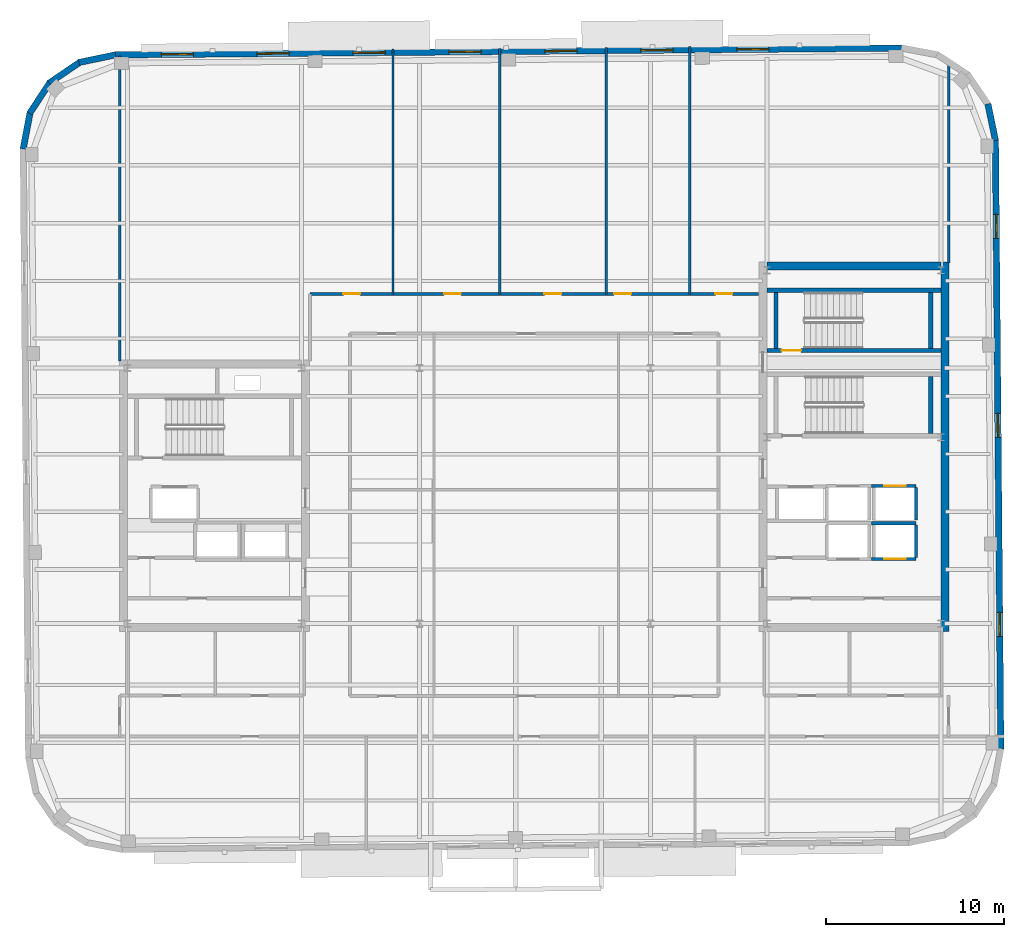
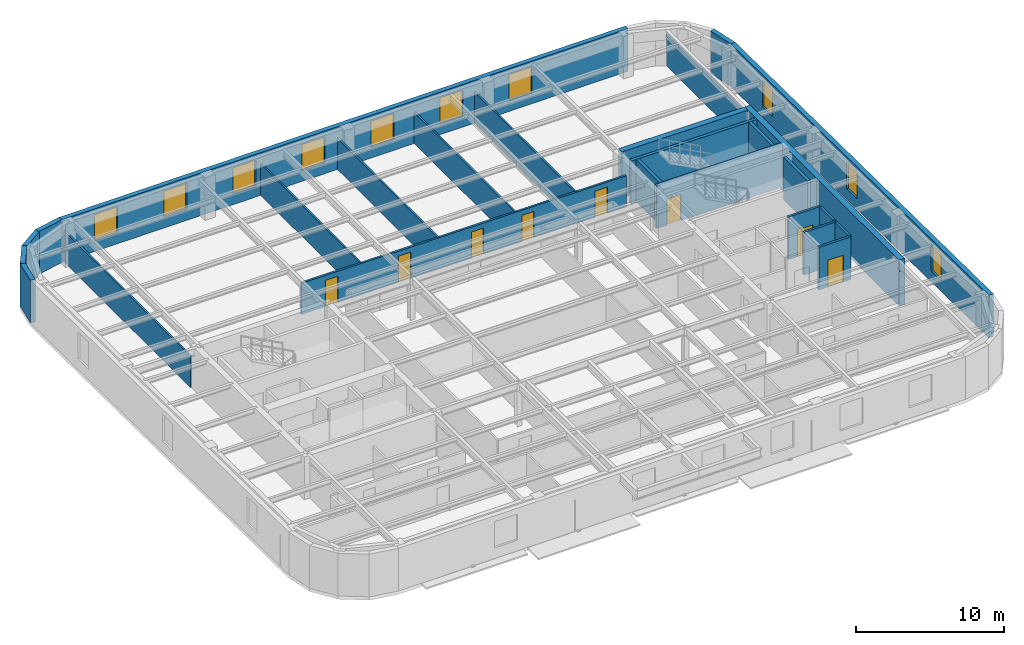
# One storey, part 9 of 14: 26 walls, 10 windows, 8 doors, 18 openings.
"""IFC4 building model written with IfcOpenShell, lengths in metres."""

from ifc_helpers import new_model, si_unit, direction, frame, frame_2d, origin, place, context, subcontext, project, spatial, rectangle, extrude, material, layer, layer_set, type_object, element, fill, save


model = new_model("IFC4")

# Units and contexts
model_context = context("Model", 3, precision=1e-05, world=origin(), true_north=direction((0.0, 1.0)))
body_context = subcontext(model_context, "Body", "Model", "MODEL_VIEW")
ifc_project = project(units=[si_unit("LENGTHUNIT", "METRE"), si_unit("AREAUNIT", "SQUARE_METRE"), si_unit("VOLUMEUNIT", "CUBIC_METRE"), si_unit("PLANEANGLEUNIT", "RADIAN"), si_unit("MASSUNIT", "GRAM", prefix="KILO")], contexts=[model_context])

# Site, building, storey
site_placement = place(None, origin())
site = spatial("IfcSite", under=ifc_project, at=site_placement, CompositionType="ELEMENT")
building_placement = place(site_placement, origin())
building = spatial("IfcBuilding", under=site, at=building_placement, Name="Kolvaren Arena Tower", CompositionType="ELEMENT")
storey_placement = place(building_placement, frame((0.0, 0.0, 308.64990234375)))
storey = spatial("IfcBuildingStorey", under=building, at=storey_placement, Name="L76", CompositionType="ELEMENT", Elevation=308.64990234375)

# Wall, openings, doors
ifc_material_1 = material(Name="Gypsum board acoustic assembly", Category="gypsum")
ifc_layer_1 = layer(ifc_material_1, 0.159912109375)
ifc_layer_set_1 = layer_set([ifc_layer_1], Name="Gypsum board acoustic assembly")
wall_type_1 = type_object("IfcWallType", Name="CORR-160", PredefinedType="PARTITIONING", material=ifc_layer_set_1)
wall_1_placement = place(storey_placement, frame((24.820068359375, 38.02001953125, 0.0), z_axis=(0.0, 0.0, 1.0), x_axis=(1.0, 0.0, 0.0)))
wall_1 = element("IfcWall", 1, at=wall_1_placement, inside=storey, type_object=wall_type_1, Name="Interior Partition Wall (L76)", PredefinedType="PARTITIONING", context=body_context, shape_type="SweptSolid", body=[
    extrude(rectangle(XDim=25.260009765625, YDim=0.159912109375, at=frame_2d((12.6298828125, 0.0))), origin(), (0.0, 0.0, 1.0), 2.570068359375),
])
opening_1_placement = place(wall_1_placement, frame((1.8798828125, 0.0, 0.0)))
opening_1 = element("IfcOpeningElement", 2, at=opening_1_placement, cuts=wall_1, Name="Opening D05", PredefinedType="OPENING", context=body_context, shape_type="SweptSolid", body=[
    extrude(rectangle(XDim=0.949951171875, YDim=2.14990234375, at=frame_2d((0.47509765625, 1.074951171875))), frame((0.0, 0.08984375, 0.0), z_axis=(0.0, -1.0, 0.0), x_axis=(1.0, 0.0, 0.0)), (0.0, 0.0, 1.0), 0.179931640625),
])
opening_2_placement = place(wall_1_placement, frame((7.554931640625, 0.0, 0.0)))
opening_2 = element("IfcOpeningElement", 3, at=opening_2_placement, cuts=wall_1, Name="Opening D05", PredefinedType="OPENING", context=body_context, shape_type="SweptSolid", body=[
    extrude(rectangle(XDim=0.949951171875, YDim=2.14990234375, at=frame_2d((0.47509765625, 1.074951171875))), frame((0.0, 0.08984375, 0.0), z_axis=(0.0, -1.0, 0.0), x_axis=(1.0, 0.0, 0.0)), (0.0, 0.0, 1.0), 0.179931640625),
])
opening_3_placement = place(wall_1_placement, frame((13.205078125, 0.0, 0.0)))
opening_3 = element("IfcOpeningElement", 4, at=opening_3_placement, cuts=wall_1, Name="Opening D05", PredefinedType="OPENING", context=body_context, shape_type="SweptSolid", body=[
    extrude(rectangle(XDim=0.949951171875, YDim=2.14990234375, at=frame_2d((0.47509765625, 1.074951171875))), frame((0.0, 0.08984375, 0.0), z_axis=(0.0, -1.0, 0.0), x_axis=(1.0, 0.0, 0.0)), (0.0, 0.0, 1.0), 0.179931640625),
])
opening_4_placement = place(wall_1_placement, frame((17.1298828125, 0.0, 0.0)))
opening_4 = element("IfcOpeningElement", 5, at=opening_4_placement, cuts=wall_1, Name="Opening D05", PredefinedType="OPENING", context=body_context, shape_type="SweptSolid", body=[
    extrude(rectangle(XDim=0.949951171875, YDim=2.14990234375, at=frame_2d((0.47509765625, 1.074951171875))), frame((0.0, 0.08984375, 0.0), z_axis=(0.0, -1.0, 0.0), x_axis=(1.0, 0.0, 0.0)), (0.0, 0.0, 1.0), 0.179931640625),
])
opening_5_placement = place(wall_1_placement, frame((22.830078125, 0.0, 0.0)))
opening_5 = element("IfcOpeningElement", 6, at=opening_5_placement, cuts=wall_1, Name="Opening D05", PredefinedType="OPENING", context=body_context, shape_type="SweptSolid", body=[
    extrude(rectangle(XDim=0.949951171875, YDim=2.14990234375, at=frame_2d((0.47509765625, 1.074951171875))), frame((0.0, 0.08984375, 0.0), z_axis=(0.0, -1.0, 0.0), x_axis=(1.0, 0.0, 0.0)), (0.0, 0.0, 1.0), 0.179931640625),
])
ifc_material_2 = material(Name="Solid-core oak acoustic office door", Category="wood")
door_type_1 = type_object("IfcDoorType", Name="DOOR-OF-095", OperationType="NOTDEFINED", PredefinedType="DOOR", material=ifc_material_2)
door_1_placement = place(opening_1_placement, origin())
door_1 = element("IfcDoor", 7, at=door_1_placement, inside=storey, type_object=door_type_1, Name="Copy and Print Room Door (L76)", OperationType="SINGLE_SWING_LEFT", OverallHeight=2.14990234375, OverallWidth=0.949951171875, PredefinedType="DOOR", context=body_context, shape_type="SweptSolid", body=[
    extrude(rectangle(XDim=0.949951171875, YDim=2.14990234375, at=frame_2d((0.47509765625, 1.074951171875))), frame((0.0, 0.02490234375, 0.0), z_axis=(0.0, -1.0, 0.0), x_axis=(1.0, 0.0, 0.0)), (0.0, 0.0, 1.0), 0.050048828125),
])
fill(opening_1, door_1)
door_2_placement = place(opening_2_placement, origin())
door_2 = element("IfcDoor", 8, at=door_2_placement, inside=storey, type_object=door_type_1, Name="Boardroom Door (L76)", OperationType="SINGLE_SWING_RIGHT", OverallHeight=2.14990234375, OverallWidth=0.949951171875, PredefinedType="DOOR", context=body_context, shape_type="SweptSolid", body=[
    extrude(rectangle(XDim=0.949951171875, YDim=2.14990234375, at=frame_2d((0.47509765625, 1.074951171875))), frame((0.0, 0.02490234375, 0.0), z_axis=(0.0, -1.0, 0.0), x_axis=(1.0, 0.0, 0.0)), (0.0, 0.0, 1.0), 0.050048828125),
])
fill(opening_2, door_2)
door_3_placement = place(opening_3_placement, origin())
door_3 = element("IfcDoor", 9, at=door_3_placement, inside=storey, type_object=door_type_1, Name="Breakout Pantry and Kitchen Door (L76)", OperationType="SINGLE_SWING_LEFT", OverallHeight=2.14990234375, OverallWidth=0.949951171875, PredefinedType="DOOR", context=body_context, shape_type="SweptSolid", body=[
    extrude(rectangle(XDim=0.949951171875, YDim=2.14990234375, at=frame_2d((0.47509765625, 1.074951171875))), frame((0.0, 0.02490234375, 0.0), z_axis=(0.0, -1.0, 0.0), x_axis=(1.0, 0.0, 0.0)), (0.0, 0.0, 1.0), 0.050048828125),
])
fill(opening_3, door_3)
door_4_placement = place(opening_4_placement, origin())
door_4 = element("IfcDoor", 10, at=door_4_placement, inside=storey, type_object=door_type_1, Name="Tenant Reception Area Door (L76)", OperationType="SINGLE_SWING_RIGHT", OverallHeight=2.14990234375, OverallWidth=0.949951171875, PredefinedType="DOOR", context=body_context, shape_type="SweptSolid", body=[
    extrude(rectangle(XDim=0.949951171875, YDim=2.14990234375, at=frame_2d((0.47509765625, 1.074951171875))), frame((0.0, 0.02490234375, 0.0), z_axis=(0.0, -1.0, 0.0), x_axis=(1.0, 0.0, 0.0)), (0.0, 0.0, 1.0), 0.050048828125),
])
fill(opening_4, door_4)
door_5_placement = place(opening_5_placement, origin())
door_5 = element("IfcDoor", 11, at=door_5_placement, inside=storey, type_object=door_type_1, Name="Executive Office Door (L76)", OperationType="SINGLE_SWING_LEFT", OverallHeight=2.14990234375, OverallWidth=0.949951171875, PredefinedType="DOOR", context=body_context, shape_type="SweptSolid", body=[
    extrude(rectangle(XDim=0.949951171875, YDim=2.14990234375, at=frame_2d((0.47509765625, 1.074951171875))), frame((0.0, 0.02490234375, 0.0), z_axis=(0.0, -1.0, 0.0), x_axis=(1.0, 0.0, 0.0)), (0.0, 0.0, 1.0), 0.050048828125),
])
fill(opening_5, door_5)

# Walls
ifc_material_3 = material(Name="Concrete 55 MPa", Category="concrete")
ifc_layer_2 = layer(ifc_material_3, 0.449951171875)
ifc_layer_set_2 = layer_set([ifc_layer_2], Name="Concrete 55 MPa")
wall_type_2 = type_object("IfcWallType", Name="CWALL-450", PredefinedType="SHEAR", material=ifc_layer_set_2)
wall_2_placement = place(storey_placement, frame((60.574951171875, 19.0, -0.27001953125), z_axis=(0.0, 0.0, 1.0), x_axis=(0.0, 1.0, 0.0)))
element("IfcWall", 12, at=wall_2_placement, inside=storey, type_object=wall_type_2, Name="Core Shear Wall EC-EAST (L76)", PredefinedType="SHEAR", context=body_context, shape_type="SweptSolid", body=[
    extrude(rectangle(XDim=20.800048828125, YDim=0.449951171875, at=frame_2d((10.39990234375, 0.0))), origin(), (0.0, 0.0, 1.0), 3.780029296875),
])
wall_3_placement = place(storey_placement, frame((50.550048828125, 39.574951171875, -0.27001953125), z_axis=(0.0, 0.0, 1.0), x_axis=(1.0, 0.0, 0.0)))
element("IfcWall", 13, at=wall_3_placement, inside=storey, type_object=wall_type_2, Name="Core Shear Wall EC-NORTH (L76)", PredefinedType="SHEAR", context=body_context, shape_type="SweptSolid", body=[
    extrude(rectangle(XDim=9.800048828125, YDim=0.449951171875, at=frame_2d((4.89990234375, 0.0))), origin(), (0.0, 0.0, 1.0), 3.780029296875),
])

# Wall, openings, windows
ifc_material_4 = material(Name="Precast concrete C50/60", Category="concrete")
ifc_layer_3 = layer(ifc_material_4, 0.360107421875)
ifc_layer_set_3 = layer_set([ifc_layer_3], Name="Precast concrete C50/60")
wall_type_3 = type_object("IfcWallType", Name="EXT-PIER2", PredefinedType="SOLIDWALL", material=ifc_layer_set_3)
wall_4_placement = place(storey_placement, frame((63.419189453125, 46.688232421875, 0.0), z_axis=(0.0, 0.0, 1.0), x_axis=(0.008726391715, -0.999961924319, 0.0)))
wall_4 = element("IfcWall", 14, at=wall_4_placement, inside=storey, type_object=wall_type_3, Name="Exterior Precast Masonry-Frame Wall (L76)", PredefinedType="SOLIDWALL", context=body_context, shape_type="SweptSolid", body=[
    extrude(rectangle(XDim=34.300048828125, YDim=0.360107421875, at=frame_2d((17.14990234375, 0.0))), origin(), (0.0, 0.0, 1.0), 3.510009765625),
])
opening_6_placement = place(wall_4_placement, frame((4.199951171875, 0.0, 0.8798828125)))
opening_6 = element("IfcOpeningElement", 15, at=opening_6_placement, cuts=wall_4, Name="Opening W04", PredefinedType="OPENING", context=body_context, shape_type="SweptSolid", body=[
    extrude(rectangle(XDim=1.35009765625, YDim=2.199951171875, at=frame_2d((0.675048828125, 1.10009765625))), frame((0.0, 0.18994140625, 0.0), z_axis=(0.0, -1.0, 0.0), x_axis=(1.0, 0.0, 0.0)), (0.0, 0.0, 1.0), 0.380126953125),
])
opening_7_placement = place(wall_4_placement, frame((15.39990234375, 0.0, 0.8798828125)))
opening_7 = element("IfcOpeningElement", 16, at=opening_7_placement, cuts=wall_4, Name="Opening W04", PredefinedType="OPENING", context=body_context, shape_type="SweptSolid", body=[
    extrude(rectangle(XDim=1.35009765625, YDim=2.199951171875, at=frame_2d((0.675048828125, 1.10009765625))), frame((0.0, 0.18994140625, 0.0), z_axis=(0.0, -1.0, 0.0), x_axis=(1.0, 0.0, 0.0)), (0.0, 0.0, 1.0), 0.380126953125),
])
opening_8_placement = place(wall_4_placement, frame((26.60009765625, 0.0, 0.8798828125)))
opening_8 = element("IfcOpeningElement", 17, at=opening_8_placement, cuts=wall_4, Name="Opening W04", PredefinedType="OPENING", context=body_context, shape_type="SweptSolid", body=[
    extrude(rectangle(XDim=1.35009765625, YDim=2.199951171875, at=frame_2d((0.675048828125, 1.10009765625))), frame((0.0, 0.18994140625, 0.0), z_axis=(0.0, -1.0, 0.0), x_axis=(1.0, 0.0, 0.0)), (0.0, 0.0, 1.0), 0.380126953125),
])
ifc_material_5 = material(Name="Triple-glazed curved-facet corner window", Category="glass")
window_type_1 = type_object("IfcWindowType", Name="WIN-CRN-A", PartitioningType="SINGLE_PANEL", PredefinedType="WINDOW", material=ifc_material_5)
window_1_placement = place(opening_6_placement, origin())
window_1 = element("IfcWindow", 18, at=window_1_placement, inside=storey, type_object=window_type_1, Name="End-Wall Punched Window (L76)", OverallHeight=2.199951171875, OverallWidth=1.35009765625, PartitioningType="SINGLE_PANEL", PredefinedType="WINDOW", context=body_context, shape_type="SweptSolid", body=[
    extrude(rectangle(XDim=1.35009765625, YDim=2.199951171875, at=frame_2d((0.675048828125, 1.10009765625))), frame((0.0, 0.030029296875, 0.0), z_axis=(0.0, -1.0, 0.0), x_axis=(1.0, 0.0, 0.0)), (0.0, 0.0, 1.0), 0.06005859375),
])
fill(opening_6, window_1)
window_2_placement = place(opening_7_placement, origin())
window_2 = element("IfcWindow", 19, at=window_2_placement, inside=storey, type_object=window_type_1, Name="End-Wall Punched Window (L76)", OverallHeight=2.199951171875, OverallWidth=1.35009765625, PartitioningType="SINGLE_PANEL", PredefinedType="WINDOW", context=body_context, shape_type="SweptSolid", body=[
    extrude(rectangle(XDim=1.35009765625, YDim=2.199951171875, at=frame_2d((0.675048828125, 1.10009765625))), frame((0.0, 0.030029296875, 0.0), z_axis=(0.0, -1.0, 0.0), x_axis=(1.0, 0.0, 0.0)), (0.0, 0.0, 1.0), 0.06005859375),
])
fill(opening_7, window_2)
window_3_placement = place(opening_8_placement, origin())
window_3 = element("IfcWindow", 20, at=window_3_placement, inside=storey, type_object=window_type_1, Name="End-Wall Punched Window (L76)", OverallHeight=2.199951171875, OverallWidth=1.35009765625, PartitioningType="SINGLE_PANEL", PredefinedType="WINDOW", context=body_context, shape_type="SweptSolid", body=[
    extrude(rectangle(XDim=1.35009765625, YDim=2.199951171875, at=frame_2d((0.675048828125, 1.10009765625))), frame((0.0, 0.030029296875, 0.0), z_axis=(0.0, -1.0, 0.0), x_axis=(1.0, 0.0, 0.0)), (0.0, 0.0, 1.0), 0.06005859375),
])
fill(opening_8, window_3)

# Wall
wall_5_placement = place(storey_placement, frame((62.993896484375, 48.7158203125, 0.0), z_axis=(0.0, 0.0, 1.0), x_axis=(0.203709000552, -0.979031482177, 0.0)))
element("IfcWall", 21, at=wall_5_placement, inside=storey, type_object=wall_type_3, Name="Exterior Precast Masonry-Frame Wall (L76)", PredefinedType="SOLIDWALL", context=body_context, shape_type="SweptSolid", body=[
    extrude(rectangle(XDim=2.10693359375, YDim=0.360107421875, at=frame_2d((1.053466796875, 0.0))), origin(), (0.0, 0.0, 1.0), 3.510009765625),
])

# Wall, openings, windows
wall_6_placement = place(storey_placement, frame((13.855712890625, 51.475830078125, 0.0), z_axis=(0.0, 0.0, 1.0), x_axis=(0.999961944954, 0.008724026757, 0.0)))
wall_6 = element("IfcWall", 22, at=wall_6_placement, inside=storey, type_object=wall_type_3, Name="Exterior Precast Masonry-Frame Wall (L76)", PredefinedType="SOLIDWALL", context=body_context, shape_type="SweptSolid", body=[
    extrude(rectangle(XDim=44.300048828125, YDim=0.360107421875, at=frame_2d((22.14990234375, 0.0))), origin(), (0.0, 0.0, 1.0), 3.510009765625),
])
opening_9_placement = place(wall_6_placement, frame((2.60009765625, 0.0, 0.8798828125)))
opening_9 = element("IfcOpeningElement", 23, at=opening_9_placement, cuts=wall_6, Name="Opening W02", PredefinedType="OPENING", context=body_context, shape_type="SweptSolid", body=[
    extrude(rectangle(XDim=1.800048828125, YDim=2.14990234375, at=frame_2d((0.89990234375, 1.074951171875))), frame((0.0, 0.18994140625, 0.0), z_axis=(0.0, -1.0, 0.0), x_axis=(1.0, 0.0, 0.0)), (0.0, 0.0, 1.0), 0.380126953125),
])
opening_10_placement = place(wall_6_placement, frame((8.0, 0.0, 0.8798828125)))
opening_10 = element("IfcOpeningElement", 24, at=opening_10_placement, cuts=wall_6, Name="Opening W02", PredefinedType="OPENING", context=body_context, shape_type="SweptSolid", body=[
    extrude(rectangle(XDim=1.800048828125, YDim=2.14990234375, at=frame_2d((0.89990234375, 1.074951171875))), frame((0.0, 0.18994140625, 0.0), z_axis=(0.0, -1.0, 0.0), x_axis=(1.0, 0.0, 0.0)), (0.0, 0.0, 1.0), 0.380126953125),
])
opening_11_placement = place(wall_6_placement, frame((13.39990234375, 0.0, 0.8798828125)))
opening_11 = element("IfcOpeningElement", 25, at=opening_11_placement, cuts=wall_6, Name="Opening W02", PredefinedType="OPENING", context=body_context, shape_type="SweptSolid", body=[
    extrude(rectangle(XDim=1.800048828125, YDim=2.14990234375, at=frame_2d((0.89990234375, 1.074951171875))), frame((0.0, 0.18994140625, 0.0), z_axis=(0.0, -1.0, 0.0), x_axis=(1.0, 0.0, 0.0)), (0.0, 0.0, 1.0), 0.380126953125),
])
opening_12_placement = place(wall_6_placement, frame((18.800048828125, 0.0, 0.8798828125)))
opening_12 = element("IfcOpeningElement", 26, at=opening_12_placement, cuts=wall_6, Name="Opening W02", PredefinedType="OPENING", context=body_context, shape_type="SweptSolid", body=[
    extrude(rectangle(XDim=1.800048828125, YDim=2.14990234375, at=frame_2d((0.89990234375, 1.074951171875))), frame((0.0, 0.18994140625, 0.0), z_axis=(0.0, -1.0, 0.0), x_axis=(1.0, 0.0, 0.0)), (0.0, 0.0, 1.0), 0.380126953125),
])
opening_13_placement = place(wall_6_placement, frame((24.199951171875, 0.0, 0.8798828125)))
opening_13 = element("IfcOpeningElement", 27, at=opening_13_placement, cuts=wall_6, Name="Opening W02", PredefinedType="OPENING", context=body_context, shape_type="SweptSolid", body=[
    extrude(rectangle(XDim=1.800048828125, YDim=2.14990234375, at=frame_2d((0.89990234375, 1.074951171875))), frame((0.0, 0.18994140625, 0.0), z_axis=(0.0, -1.0, 0.0), x_axis=(1.0, 0.0, 0.0)), (0.0, 0.0, 1.0), 0.380126953125),
])
opening_14_placement = place(wall_6_placement, frame((29.60009765625, 0.0, 0.8798828125)))
opening_14 = element("IfcOpeningElement", 28, at=opening_14_placement, cuts=wall_6, Name="Opening W02", PredefinedType="OPENING", context=body_context, shape_type="SweptSolid", body=[
    extrude(rectangle(XDim=1.800048828125, YDim=2.14990234375, at=frame_2d((0.89990234375, 1.074951171875))), frame((0.0, 0.18994140625, 0.0), z_axis=(0.0, -1.0, 0.0), x_axis=(1.0, 0.0, 0.0)), (0.0, 0.0, 1.0), 0.380126953125),
])
opening_15_placement = place(wall_6_placement, frame((35.0, 0.0, 0.8798828125)))
opening_15 = element("IfcOpeningElement", 29, at=opening_15_placement, cuts=wall_6, Name="Opening W02", PredefinedType="OPENING", context=body_context, shape_type="SweptSolid", body=[
    extrude(rectangle(XDim=1.800048828125, YDim=2.14990234375, at=frame_2d((0.89990234375, 1.074951171875))), frame((0.0, 0.18994140625, 0.0), z_axis=(0.0, -1.0, 0.0), x_axis=(1.0, 0.0, 0.0)), (0.0, 0.0, 1.0), 0.380126953125),
])
ifc_material_6 = material(Name="Triple-glazed low-E aluminium window", Category="aluminium")
window_type_2 = type_object("IfcWindowType", Name="WIN-OFF-B", PartitioningType="DOUBLE_PANEL_VERTICAL", PredefinedType="WINDOW", material=ifc_material_6)
window_4_placement = place(opening_9_placement, origin())
window_4 = element("IfcWindow", 30, at=window_4_placement, inside=storey, type_object=window_type_2, Name="Punched Precast-Pier Window (L76)", OverallHeight=2.14990234375, OverallWidth=1.800048828125, PartitioningType="DOUBLE_PANEL_VERTICAL", PredefinedType="WINDOW", context=body_context, shape_type="SweptSolid", body=[
    extrude(rectangle(XDim=1.800048828125, YDim=2.14990234375, at=frame_2d((0.89990234375, 1.074951171875))), frame((0.0, 0.030029296875, 0.0), z_axis=(0.0, -1.0, 0.0), x_axis=(1.0, 0.0, 0.0)), (0.0, 0.0, 1.0), 0.06005859375),
])
fill(opening_9, window_4)
window_5_placement = place(opening_10_placement, origin())
window_5 = element("IfcWindow", 31, at=window_5_placement, inside=storey, type_object=window_type_2, Name="Punched Precast-Pier Window (L76)", OverallHeight=2.14990234375, OverallWidth=1.800048828125, PartitioningType="DOUBLE_PANEL_VERTICAL", PredefinedType="WINDOW", context=body_context, shape_type="SweptSolid", body=[
    extrude(rectangle(XDim=1.800048828125, YDim=2.14990234375, at=frame_2d((0.89990234375, 1.074951171875))), frame((0.0, 0.030029296875, 0.0), z_axis=(0.0, -1.0, 0.0), x_axis=(1.0, 0.0, 0.0)), (0.0, 0.0, 1.0), 0.06005859375),
])
fill(opening_10, window_5)
window_6_placement = place(opening_11_placement, origin())
window_6 = element("IfcWindow", 32, at=window_6_placement, inside=storey, type_object=window_type_2, Name="Punched Precast-Pier Window (L76)", OverallHeight=2.14990234375, OverallWidth=1.800048828125, PartitioningType="DOUBLE_PANEL_VERTICAL", PredefinedType="WINDOW", context=body_context, shape_type="SweptSolid", body=[
    extrude(rectangle(XDim=1.800048828125, YDim=2.14990234375, at=frame_2d((0.89990234375, 1.074951171875))), frame((0.0, 0.030029296875, 0.0), z_axis=(0.0, -1.0, 0.0), x_axis=(1.0, 0.0, 0.0)), (0.0, 0.0, 1.0), 0.06005859375),
])
fill(opening_11, window_6)
window_7_placement = place(opening_12_placement, origin())
window_7 = element("IfcWindow", 33, at=window_7_placement, inside=storey, type_object=window_type_2, Name="Punched Precast-Pier Window (L76)", OverallHeight=2.14990234375, OverallWidth=1.800048828125, PartitioningType="DOUBLE_PANEL_VERTICAL", PredefinedType="WINDOW", context=body_context, shape_type="SweptSolid", body=[
    extrude(rectangle(XDim=1.800048828125, YDim=2.14990234375, at=frame_2d((0.89990234375, 1.074951171875))), frame((0.0, 0.030029296875, 0.0), z_axis=(0.0, -1.0, 0.0), x_axis=(1.0, 0.0, 0.0)), (0.0, 0.0, 1.0), 0.06005859375),
])
fill(opening_12, window_7)
window_8_placement = place(opening_13_placement, origin())
window_8 = element("IfcWindow", 34, at=window_8_placement, inside=storey, type_object=window_type_2, Name="Punched Precast-Pier Window (L76)", OverallHeight=2.14990234375, OverallWidth=1.800048828125, PartitioningType="DOUBLE_PANEL_VERTICAL", PredefinedType="WINDOW", context=body_context, shape_type="SweptSolid", body=[
    extrude(rectangle(XDim=1.800048828125, YDim=2.14990234375, at=frame_2d((0.89990234375, 1.074951171875))), frame((0.0, 0.030029296875, 0.0), z_axis=(0.0, -1.0, 0.0), x_axis=(1.0, 0.0, 0.0)), (0.0, 0.0, 1.0), 0.06005859375),
])
fill(opening_13, window_8)
window_9_placement = place(opening_14_placement, origin())
window_9 = element("IfcWindow", 35, at=window_9_placement, inside=storey, type_object=window_type_2, Name="Punched Precast-Pier Window (L76)", OverallHeight=2.14990234375, OverallWidth=1.800048828125, PartitioningType="DOUBLE_PANEL_VERTICAL", PredefinedType="WINDOW", context=body_context, shape_type="SweptSolid", body=[
    extrude(rectangle(XDim=1.800048828125, YDim=2.14990234375, at=frame_2d((0.89990234375, 1.074951171875))), frame((0.0, 0.030029296875, 0.0), z_axis=(0.0, -1.0, 0.0), x_axis=(1.0, 0.0, 0.0)), (0.0, 0.0, 1.0), 0.06005859375),
])
fill(opening_14, window_9)
window_10_placement = place(opening_15_placement, origin())
window_10 = element("IfcWindow", 36, at=window_10_placement, inside=storey, type_object=window_type_2, Name="Punched Precast-Pier Window (L76)", OverallHeight=2.14990234375, OverallWidth=1.800048828125, PartitioningType="DOUBLE_PANEL_VERTICAL", PredefinedType="WINDOW", context=body_context, shape_type="SweptSolid", body=[
    extrude(rectangle(XDim=1.800048828125, YDim=2.14990234375, at=frame_2d((0.89990234375, 1.074951171875))), frame((0.0, 0.030029296875, 0.0), z_axis=(0.0, -1.0, 0.0), x_axis=(1.0, 0.0, 0.0)), (0.0, 0.0, 1.0), 0.06005859375),
])
fill(opening_15, window_10)

# Walls
for number, where, z_axis, x_axis, name in (
    (37, (11.827880859375, 51.050537109375, 0.0), (0.0, 0.0, 1.0), (0.97905458633, 0.203597929717, 0.0), "Exterior Precast Masonry-Frame Wall (L76)"),
    (38, (10.15087890625, 49.89208984375, 0.0), (0.0, 0.0, 1.0), (0.826609569219, 0.56277581689, 0.0), "Exterior Precast Masonry-Frame Wall (L76)"),
):
    element("IfcWall", number, at=place(storey_placement, frame(where, z_axis=z_axis, x_axis=x_axis)), inside=storey, type_object=wall_type_3, Name=name, PredefinedType="SOLIDWALL", context=body_context, shape_type="SweptSolid", body=[
        extrude(rectangle(XDim=2.10693359375, YDim=0.360107421875, at=frame_2d((1.053466796875, 0.0))), origin(), (0.0, 0.0, 1.0), 3.510009765625),
    ])
for number, where, z_axis, x_axis, name in (
    (39, (9.044921875, 48.18017578125, 0.0), (0.0, 0.0, 1.0), (0.548266637224, 0.836303589916, 0.0), "Exterior Precast Masonry-Frame Wall (L76)"),
    (40, (8.67822265625, 46.17529296875, 0.0), (0.0, 0.0, 1.0), (0.186547695246, 0.982445905584, 0.0), "Exterior Precast Masonry-Frame Wall (L76)"),
):
    element("IfcWall", number, at=place(storey_placement, frame(where, z_axis=z_axis, x_axis=x_axis)), inside=storey, type_object=wall_type_3, Name=name, PredefinedType="SOLIDWALL", context=body_context, shape_type="SweptSolid", body=[
        extrude(rectangle(XDim=2.107177734375, YDim=0.360107421875, at=frame_2d((1.0537109375, 0.0))), origin(), (0.0, 0.0, 1.0), 3.510009765625),
    ])
ifc_material_7 = material(Name="Gypsum board partition assembly", Category="gypsum")
ifc_layer_4 = layer(ifc_material_7, 0.135009765625)
ifc_layer_set_4 = layer_set([ifc_layer_4], Name="Gypsum board partition assembly")
wall_type_4 = type_object("IfcWallType", Name="PART-135", PredefinedType="PARTITIONING", material=ifc_layer_set_4)
wall_7_placement = place(storey_placement, frame((29.5, 38.02001953125, 0.0), z_axis=(0.0, 0.0, 1.0), x_axis=(0.0, 1.0, 0.0)))
element("IfcWall", 41, at=wall_7_placement, inside=storey, type_object=wall_type_4, Name="Interior Partition Wall (L76)", PredefinedType="PARTITIONING", context=body_context, shape_type="SweptSolid", body=[
    extrude(rectangle(XDim=13.772216796875, YDim=0.135009765625, at=frame_2d((6.88623046875, 0.0))), origin(), (0.0, 0.0, 1.0), 2.570068359375),
])
wall_8_placement = place(storey_placement, frame((35.5, 38.02001953125, 0.0), z_axis=(0.0, 0.0, 1.0), x_axis=(0.0, 1.0, 0.0)))
element("IfcWall", 42, at=wall_8_placement, inside=storey, type_object=wall_type_4, Name="Interior Partition Wall (L76)", PredefinedType="PARTITIONING", context=body_context, shape_type="SweptSolid", body=[
    extrude(rectangle(XDim=13.82470703125, YDim=0.135009765625, at=frame_2d((6.912353515625, 0.0))), origin(), (0.0, 0.0, 1.0), 2.570068359375),
])
wall_9_placement = place(storey_placement, frame((41.5, 38.02001953125, 0.0), z_axis=(0.0, 0.0, 1.0), x_axis=(0.0, 1.0, 0.0)))
element("IfcWall", 43, at=wall_9_placement, inside=storey, type_object=wall_type_4, Name="Interior Partition Wall (L76)", PredefinedType="PARTITIONING", context=body_context, shape_type="SweptSolid", body=[
    extrude(rectangle(XDim=13.877197265625, YDim=0.135009765625, at=frame_2d((6.9384765625, 0.0))), origin(), (0.0, 0.0, 1.0), 2.570068359375),
])
wall_10_placement = place(storey_placement, frame((46.199951171875, 38.02001953125, 0.0), z_axis=(0.0, 0.0, 1.0), x_axis=(0.0, 1.0, 0.0)))
element("IfcWall", 44, at=wall_10_placement, inside=storey, type_object=wall_type_4, Name="Interior Partition Wall (L76)", PredefinedType="PARTITIONING", context=body_context, shape_type="SweptSolid", body=[
    extrude(rectangle(XDim=13.91796875, YDim=0.135009765625, at=frame_2d((6.958984375, 0.0))), origin(), (0.0, 0.0, 1.0), 2.570068359375),
])
wall_11_placement = place(storey_placement, frame((14.1201171875, 34.25, 0.0), z_axis=(0.0, 0.0, 1.0), x_axis=(0.0, 1.0, 0.0)))
element("IfcWall", 45, at=wall_11_placement, inside=storey, type_object=wall_type_4, Name="Interior Partition Wall (L76)", PredefinedType="PARTITIONING", context=body_context, shape_type="SweptSolid", body=[
    extrude(rectangle(XDim=17.168212890625, YDim=0.135009765625, at=frame_2d((8.583984375, 0.0))), origin(), (0.0, 0.0, 1.0), 2.570068359375),
])
wall_12_placement = place(storey_placement, frame((60.780029296875, 39.75, 0.0), z_axis=(0.0, 0.0, 1.0), x_axis=(0.0, 1.0, 0.0)))
element("IfcWall", 46, at=wall_12_placement, inside=storey, type_object=wall_type_4, Name="Interior Partition Wall (L76)", PredefinedType="PARTITIONING", context=body_context, shape_type="SweptSolid", body=[
    extrude(rectangle(XDim=11.246826171875, YDim=0.135009765625, at=frame_2d((5.62353515625, 0.0))), origin(), (0.0, 0.0, 1.0), 2.570068359375),
])
ifc_material_8 = material(Name="Concrete 45 MPa", Category="concrete")
ifc_layer_5 = layer(ifc_material_8, 0.25)
ifc_layer_set_5 = layer_set([ifc_layer_5], Name="Concrete 45 MPa")
wall_type_5 = type_object("IfcWallType", Name="SHAFT-250", PredefinedType="SOLIDWALL", material=ifc_layer_set_5)
wall_13_placement = place(storey_placement, frame((59.780029296875, 30.14990234375, 0.0), z_axis=(0.0, 0.0, 1.0), x_axis=(0.0, 1.0, 0.0)))
element("IfcWall", 47, at=wall_13_placement, inside=storey, type_object=wall_type_5, Name="Core Shaft Wall (L76)", PredefinedType="SOLIDWALL", context=body_context, shape_type="SweptSolid", body=[
    extrude(rectangle(XDim=3.22998046875, YDim=0.239990234375, at=frame_2d((1.614990234375, 0.0))), origin(), (0.0, 0.0, 1.0), 3.510009765625),
])

# Wall, opening, door
wall_14_placement = place(storey_placement, frame((60.35009765625, 34.830078125, 0.0), z_axis=(0.0, 0.0, 1.0), x_axis=(-1.0, 0.0, 0.0)))
wall_14 = element("IfcWall", 48, at=wall_14_placement, inside=storey, type_object=wall_type_5, Name="Core Shaft Wall (L76)", PredefinedType="SOLIDWALL", context=body_context, shape_type="SweptSolid", body=[
    extrude(rectangle(XDim=9.800048828125, YDim=0.239990234375, at=frame_2d((4.89990234375, 0.0))), origin(), (0.0, 0.0, 1.0), 3.510009765625),
])
opening_16_placement = place(wall_14_placement, frame((7.8701171875, 0.0, 0.0)))
opening_16 = element("IfcOpeningElement", 49, at=opening_16_placement, cuts=wall_14, Name="Opening D03", PredefinedType="OPENING", context=body_context, shape_type="SweptSolid", body=[
    extrude(rectangle(XDim=1.10009765625, YDim=2.14990234375, at=frame_2d((0.550048828125, 1.074951171875))), frame((0.0, 0.1298828125, 0.0), z_axis=(0.0, -1.0, 0.0), x_axis=(1.0, 0.0, 0.0)), (0.0, 0.0, 1.0), 0.260009765625),
])
ifc_material_9 = material(Name="Fire-rated steel exit stair door", Category="steel")
door_type_2 = type_object("IfcDoorType", Name="DOOR-ST-110", OperationType="NOTDEFINED", PredefinedType="DOOR", material=ifc_material_9)
door_6_placement = place(opening_16_placement, origin())
door_6 = element("IfcDoor", 50, at=door_6_placement, inside=storey, type_object=door_type_2, Name="Stair ST-E2 Fire Door (L76)", OperationType="SINGLE_SWING_LEFT", OverallHeight=2.14990234375, OverallWidth=1.10009765625, PredefinedType="DOOR", context=body_context, shape_type="SweptSolid", body=[
    extrude(rectangle(XDim=1.10009765625, YDim=2.14990234375, at=frame_2d((0.550048828125, 1.074951171875))), frame((0.0, 0.02490234375, 0.0), z_axis=(0.0, -1.0, 0.0), x_axis=(1.0, 0.0, 0.0)), (0.0, 0.0, 1.0), 0.050048828125),
])
fill(opening_16, door_6)

# Walls
wall_15_placement = place(storey_placement, frame((50.550048828125, 38.219970703125, 0.0), z_axis=(0.0, 0.0, 1.0), x_axis=(1.0, 0.0, 0.0)))
element("IfcWall", 51, at=wall_15_placement, inside=storey, type_object=wall_type_5, Name="Core Shaft Wall (L76)", PredefinedType="SOLIDWALL", context=body_context, shape_type="SweptSolid", body=[
    extrude(rectangle(XDim=9.800048828125, YDim=0.239990234375, at=frame_2d((4.89990234375, 0.0))), origin(), (0.0, 0.0, 1.0), 3.510009765625),
])
for number, where, z_axis, x_axis, name in (
    (52, (51.06005859375, 34.949951171875, 0.0), (0.0, 0.0, 1.0), (0.0, 1.0, 0.0), "Core Shaft Wall (L76)"),
    (53, (59.780029296875, 34.949951171875, 0.0), (0.0, 0.0, 1.0), (0.0, 1.0, 0.0), "Core Shaft Wall (L76)"),
):
    element("IfcWall", number, at=place(storey_placement, frame(where, z_axis=z_axis, x_axis=x_axis)), inside=storey, type_object=wall_type_5, Name=name, PredefinedType="SOLIDWALL", context=body_context, shape_type="SweptSolid", body=[
        extrude(rectangle(XDim=3.150146484375, YDim=0.239990234375, at=frame_2d((1.5751953125, 0.0))), origin(), (0.0, 0.0, 1.0), 3.510009765625),
    ])
wall_16_placement = place(storey_placement, frame((56.43994140625, 25.10498046875, 0.0), z_axis=(0.0, 0.0, 1.0), x_axis=(1.0, 0.0, 0.0)))
element("IfcWall", 54, at=wall_16_placement, inside=storey, type_object=wall_type_5, Name="Core Shaft Wall (L76)", PredefinedType="SOLIDWALL", context=body_context, shape_type="SweptSolid", body=[
    extrude(rectangle(XDim=2.5, YDim=0.179931640625, at=frame_2d((1.25, 0.0))), origin(), (0.0, 0.0, 1.0), 3.510009765625),
])

# Wall, opening, door
wall_17_placement = place(storey_placement, frame((56.43994140625, 23.094970703125, 0.0), z_axis=(0.0, 0.0, 1.0), x_axis=(1.0, 0.0, 0.0)))
wall_17 = element("IfcWall", 55, at=wall_17_placement, inside=storey, type_object=wall_type_5, Name="Core Shaft Wall (L76)", PredefinedType="SOLIDWALL", context=body_context, shape_type="SweptSolid", body=[
    extrude(rectangle(XDim=2.5, YDim=0.179931640625, at=frame_2d((1.25, 0.0))), origin(), (0.0, 0.0, 1.0), 3.510009765625),
])
opening_17_placement = place(wall_17_placement, frame((0.719970703125, 0.0, 0.0)))
opening_17 = element("IfcOpeningElement", 56, at=opening_17_placement, cuts=wall_17, Name="Opening LD1", PredefinedType="OPENING", context=body_context, shape_type="SweptSolid", body=[
    extrude(rectangle(XDim=1.199951171875, YDim=2.199951171875, at=frame_2d((0.60009765625, 1.10009765625))), frame((0.0, 0.099853515625, 0.0), z_axis=(0.0, -1.0, 0.0), x_axis=(1.0, 0.0, 0.0)), (0.0, 0.0, 1.0), 0.199951171875),
])
ifc_material_10 = material(Name="Stainless steel passenger lift landing door", Category="steel")
door_type_3 = type_object("IfcDoorType", Name="DOOR-LD-120", OperationType="DOUBLE_DOOR_SLIDING", PredefinedType="DOOR", material=ifc_material_10)
door_7_placement = place(opening_17_placement, origin())
door_7 = element("IfcDoor", 57, at=door_7_placement, inside=storey, type_object=door_type_3, Name="Lift EL-HR2 Landing Door (L76)", OperationType="DOUBLE_DOOR_SLIDING", OverallHeight=2.199951171875, OverallWidth=1.199951171875, PredefinedType="DOOR", context=body_context, shape_type="SweptSolid", body=[
    extrude(rectangle(XDim=1.199951171875, YDim=2.199951171875, at=frame_2d((0.60009765625, 1.10009765625))), frame((0.0, 0.02490234375, 0.0), z_axis=(0.0, -1.0, 0.0), x_axis=(1.0, 0.0, 0.0)), (0.0, 0.0, 1.0), 0.050048828125),
])
fill(opening_17, door_7)

# Wall
wall_18_placement = place(storey_placement, frame((58.93994140625, 23.18505859375, 0.0), z_axis=(0.0, 0.0, 1.0), x_axis=(0.0, 1.0, 0.0)))
element("IfcWall", 58, at=wall_18_placement, inside=storey, type_object=wall_type_5, Name="Core Shaft Wall (L76)", PredefinedType="SOLIDWALL", context=body_context, shape_type="SweptSolid", body=[
    extrude(rectangle(XDim=1.829833984375, YDim=0.179931640625, at=frame_2d((0.9150390625, 0.0))), origin(), (0.0, 0.0, 1.0), 3.510009765625),
])

# Wall, opening, door
wall_19_placement = place(storey_placement, frame((56.43994140625, 27.205078125, 0.0), z_axis=(0.0, 0.0, 1.0), x_axis=(1.0, 0.0, 0.0)))
wall_19 = element("IfcWall", 59, at=wall_19_placement, inside=storey, type_object=wall_type_5, Name="Core Shaft Wall (L76)", PredefinedType="SOLIDWALL", context=body_context, shape_type="SweptSolid", body=[
    extrude(rectangle(XDim=2.5, YDim=0.179931640625, at=frame_2d((1.25, 0.0))), origin(), (0.0, 0.0, 1.0), 3.510009765625),
])
opening_18_placement = place(wall_19_placement, frame((0.719970703125, 0.0, 0.0)))
opening_18 = element("IfcOpeningElement", 60, at=opening_18_placement, cuts=wall_19, Name="Opening LD1", PredefinedType="OPENING", context=body_context, shape_type="SweptSolid", body=[
    extrude(rectangle(XDim=1.199951171875, YDim=2.199951171875, at=frame_2d((0.60009765625, 1.10009765625))), frame((0.0, 0.099853515625, 0.0), z_axis=(0.0, -1.0, 0.0), x_axis=(1.0, 0.0, 0.0)), (0.0, 0.0, 1.0), 0.199951171875),
])
door_8_placement = place(opening_18_placement, origin())
door_8 = element("IfcDoor", 61, at=door_8_placement, inside=storey, type_object=door_type_3, Name="Lift EL-HR4 Landing Door (L76)", OperationType="DOUBLE_DOOR_SLIDING", OverallHeight=2.199951171875, OverallWidth=1.199951171875, PredefinedType="DOOR", context=body_context, shape_type="SweptSolid", body=[
    extrude(rectangle(XDim=1.199951171875, YDim=2.199951171875, at=frame_2d((0.60009765625, 1.10009765625))), frame((0.0, 0.02490234375, 0.0), z_axis=(0.0, -1.0, 0.0), x_axis=(1.0, 0.0, 0.0)), (0.0, 0.0, 1.0), 0.050048828125),
])
fill(opening_18, door_8)

# Wall
wall_20_placement = place(storey_placement, frame((58.93994140625, 25.284912109375, 0.0), z_axis=(0.0, 0.0, 1.0), x_axis=(0.0, 1.0, 0.0)))
element("IfcWall", 62, at=wall_20_placement, inside=storey, type_object=wall_type_5, Name="Core Shaft Wall (L76)", PredefinedType="SOLIDWALL", context=body_context, shape_type="SweptSolid", body=[
    extrude(rectangle(XDim=1.830078125, YDim=0.179931640625, at=frame_2d((0.9150390625, 0.0))), origin(), (0.0, 0.0, 1.0), 3.510009765625),
])

save(model, "model.ifc")
